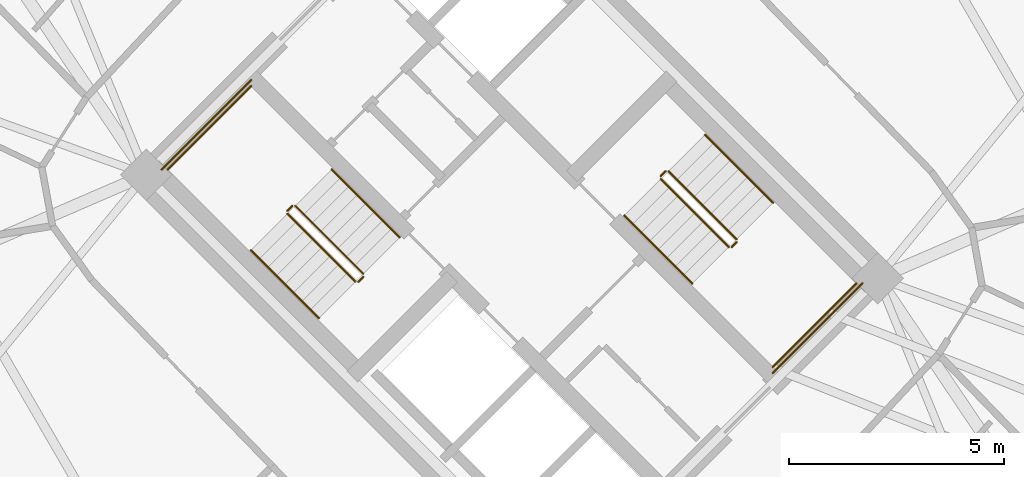
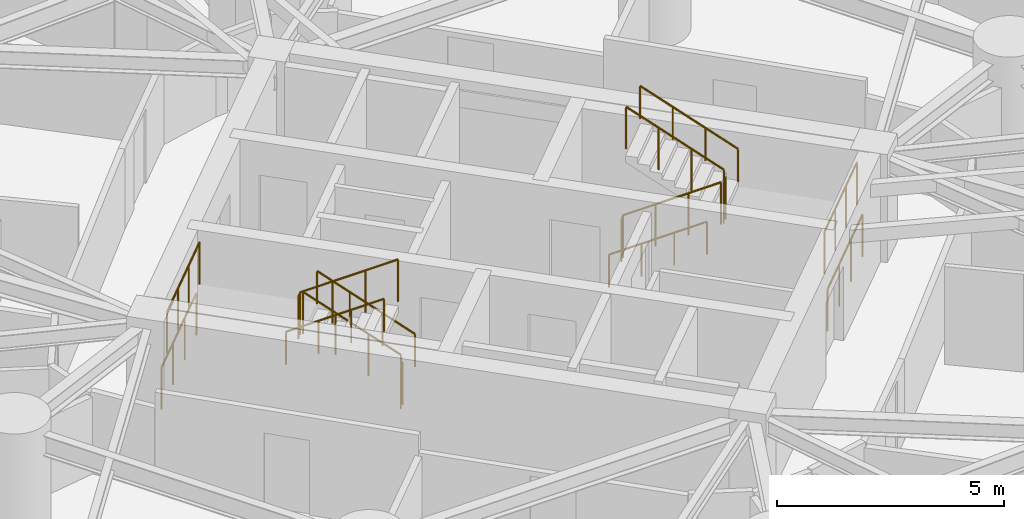
# One storey, part 18 of 19: 16 railings.
"""IFC4 building model written with IfcOpenShell, lengths in metres."""

import ifcopenshell
import ifcopenshell.guid

model = None  # the IFC model being written
_history = None  # IfcOwnerHistory: only IFC2X3 demands one
_inside = {}  # id of a spatial element -> (the spatial element, [elements in it])
_under = {}  # id of a project, library or spatial element -> (it, [spatial elements below it])
_declared = {}  # id of a project -> (the project, [libraries it declares])
_typed = {}  # id of a type object -> (the type object, [elements of that type])
_made_of = {}  # id of a material, layer set ... -> (it, [elements and type objects made of it])


def new_model(schema):
    """Start an empty IFC model of exactly this schema.

    Asked for "IFC4X3", IfcOpenShell would pick the latest addendum, in which some entities
    have other attributes; the version numbers below select the first issue.
    IFC2X3 requires an IfcOwnerHistory on every rooted entity: one is made here for all.
    """
    global model, _history
    if schema == "IFC4X3":
        model = ifcopenshell.file(schema_version=(4, 3, 0, 0))
    else:
        model = ifcopenshell.file(schema=schema)
    _inside.clear()
    _under.clear()
    _declared.clear()
    _typed.clear()
    _made_of.clear()
    _history = None
    if model.schema == "IFC2X3":
        org = make("IfcOrganization", Name="unknown")
        user = make(
            "IfcPersonAndOrganization",
            ThePerson=make("IfcPerson", FamilyName="unknown"),
            TheOrganization=org,
        )
        app = make(
            "IfcApplication",
            ApplicationDeveloper=org,
            Version="unknown",
            ApplicationFullName="unknown",
            ApplicationIdentifier="unknown",
        )
        _history = make(
            "IfcOwnerHistory",
            OwningUser=user,
            OwningApplication=app,
            ChangeAction="ADDED",
            CreationDate=0,
        )
    return model


def make(cls, **values):
    """One entity of the class cls with the attributes given. An attribute that is None is left unset."""
    return model.create_entity(
        cls, **{name: value for name, value in values.items() if value is not None}
    )


def rooted(cls, **values):
    """An entity with a GlobalId (a new one), such as an element, a storey or a relation."""
    return make(cls, GlobalId=ifcopenshell.guid.new(), OwnerHistory=_history, **values)


def si_unit(unit_type, name, prefix=None):
    """IfcSIUnit, for example si_unit("LENGTHUNIT", "METRE", prefix="MILLI")."""
    return make("IfcSIUnit", UnitType=unit_type, Prefix=prefix, Name=name)


def assignment(units):
    """IfcUnitAssignment: the units of a project."""
    return None if units is None else make("IfcUnitAssignment", Units=units)


def point(xyz):
    """IfcCartesianPoint."""
    return None if xyz is None else make("IfcCartesianPoint", Coordinates=xyz)


def direction(xyz):
    """IfcDirection."""
    return None if xyz is None else make("IfcDirection", DirectionRatios=xyz)


def frame(location, z_axis=None, x_axis=None):
    """IfcAxis2Placement3D, a coordinate frame: its origin and axes. An axis left out is left unset."""
    return make(
        "IfcAxis2Placement3D",
        Location=point(location),
        Axis=direction(z_axis),
        RefDirection=direction(x_axis),
    )


def frame_2d(location, x_axis=None):
    """IfcAxis2Placement2D, a coordinate frame in the plane: its origin and x axis."""
    return make(
        "IfcAxis2Placement2D", Location=point(location), RefDirection=direction(x_axis)
    )


def origin():
    """The frame at (0, 0, 0) with its axes left unset."""
    return frame((0.0, 0.0, 0.0))


def origin_2d():
    """The frame at (0, 0) in the plane with its x axis left unset."""
    return frame_2d((0.0, 0.0))


def place(relative_to, where):
    """IfcLocalPlacement: puts the frame where relative to a parent placement (None: the world)."""
    return make(
        "IfcLocalPlacement", PlacementRelTo=relative_to, RelativePlacement=where
    )


def context(
    kind, dimensions, precision=None, world=None, true_north=None, identifier=None
):
    """IfcGeometricRepresentationContext, for example the 3D "Model" context."""
    return make(
        "IfcGeometricRepresentationContext",
        ContextIdentifier=identifier,
        ContextType=kind,
        CoordinateSpaceDimension=dimensions,
        Precision=precision,
        WorldCoordinateSystem=world,
        TrueNorth=true_north,
    )


def subcontext(parent, identifier, kind, view, scale=None):
    """IfcGeometricRepresentationSubContext, for example "Body" below "Model"."""
    return make(
        "IfcGeometricRepresentationSubContext",
        ContextIdentifier=identifier,
        ContextType=kind,
        ParentContext=parent,
        TargetScale=scale,
        TargetView=view,
    )


def project(units=None, contexts=None):
    """IfcProject with its units and contexts."""
    return rooted(
        "IfcProject",
        Name="project",
        RepresentationContexts=contexts,
        UnitsInContext=assignment(units),
    )


def spatial(cls, under=None, at=None, **own):
    """A site, building, storey or space (cls), placed at a placement, below another one or the project."""
    s = rooted(cls, ObjectPlacement=at, **own)
    if under is not None:
        _under.setdefault(under.id(), (under, []))[1].append(s)
    return s


def profile(cls, at=None, kind="AREA", **sizes):
    """A parametric profile (cls). Its sizes go by their IFC names, for example OverallWidth=200.0."""
    return make(cls, ProfileType=kind, Position=at, **sizes)


def circle(**sizes):
    """IfcCircleProfileDef."""
    return profile("IfcCircleProfileDef", **sizes)


def extrude(swept, where, along, depth):
    """IfcExtrudedAreaSolid: the profile swept, set in the frame where, extruded along a direction by depth."""
    return make(
        "IfcExtrudedAreaSolid",
        SweptArea=swept,
        Position=where,
        ExtrudedDirection=direction(along),
        Depth=depth,
    )


def shape(context_of_items, identifier, shape_type, items):
    """IfcShapeRepresentation: the items that make up one representation, for example the "Body"."""
    return make(
        "IfcShapeRepresentation",
        ContextOfItems=context_of_items,
        RepresentationIdentifier=identifier,
        RepresentationType=shape_type,
        Items=items,
    )


def material(Name=None, Category=None):
    """IfcMaterial."""
    return make("IfcMaterial", Name=Name, Category=Category)


def made_of(thing, what):
    """Note that an element or type object is made of a material, layer set ...; save() writes the relation."""
    if what is not None:
        _made_of.setdefault(what.id(), (what, []))[1].append(thing)
    return thing


def type_object(cls, material=None, **own):
    """A type object (cls), such as IfcWallType, which elements share."""
    return made_of(rooted(cls, **own), material)


def element(
    cls,
    number,
    at=None,
    inside=None,
    cuts=None,
    type_object=None,
    material=None,
    context=None,
    identifier="Body",
    shape_type=None,
    held_by="IfcProductDefinitionShape",
    body=None,
    shapes=None,
    **own,
):
    """One element of the class cls, such as IfcWall. Its Tag is "e" and its number.

    at: its placement. inside: the storey or other place that contains it. cuts: it is an
    opening in that element (IfcRelVoidsElement). A single representation is given by context,
    identifier, shape_type and body (its items); several are given by shapes. held_by: the class
    of the entity that holds the representations. save() writes the other relations.
    """
    e = rooted(cls, Tag="e%d" % number, ObjectPlacement=at, **own)
    if body is not None:
        shapes = [shape(context, identifier, shape_type, body)]
    if shapes is not None:
        e.Representation = make(held_by, Representations=shapes)
    if inside is not None:
        _inside.setdefault(inside.id(), (inside, []))[1].append(e)
    if cuts is not None:
        rooted(
            "IfcRelVoidsElement", RelatingBuildingElement=cuts, RelatedOpeningElement=e
        )
    if type_object is not None:
        _typed.setdefault(type_object.id(), (type_object, []))[1].append(e)
    return made_of(e, material)


def aggregate(whole, parts):
    """IfcRelAggregates: a whole, such as a stair, and the parts it consists of."""
    return rooted("IfcRelAggregates", RelatingObject=whole, RelatedObjects=parts)


def save(model, path):
    """Write the relations noted so far, then the file.

    IfcRelAggregates (storeys below a building ...), IfcRelContainedInSpatialStructure (elements
    in a storey), IfcRelDefinesByType, IfcRelAssociatesMaterial and IfcRelDeclares: one each for
    every whole, place, type object, material and project.
    """
    for whole, parts in _under.values():
        aggregate(whole, parts)
    for where, things in _inside.values():
        rooted(
            "IfcRelContainedInSpatialStructure",
            RelatedElements=things,
            RelatingStructure=where,
        )
    for kind, things in _typed.values():
        rooted("IfcRelDefinesByType", RelatedObjects=things, RelatingType=kind)
    for what, things in _made_of.values():
        rooted("IfcRelAssociatesMaterial", RelatedObjects=things, RelatingMaterial=what)
    for by, libraries in _declared.values():
        rooted("IfcRelDeclares", RelatingContext=by, RelatedDefinitions=libraries)
    model.write(path)


model = new_model("IFC4")

# Units and contexts
model_context = context("Model", 3, precision=1e-05, world=origin(), true_north=direction((0.0, 1.0)))
body_context = subcontext(model_context, "Body", "Model", "MODEL_VIEW")
ifc_project = project(units=[si_unit("LENGTHUNIT", "METRE"), si_unit("AREAUNIT", "SQUARE_METRE"), si_unit("VOLUMEUNIT", "CUBIC_METRE"), si_unit("PLANEANGLEUNIT", "RADIAN"), si_unit("MASSUNIT", "GRAM", prefix="KILO")], contexts=[model_context])

# Site, building, storey
site_placement = place(None, origin())
site = spatial("IfcSite", under=ifc_project, at=site_placement, CompositionType="ELEMENT")
building_placement = place(site_placement, origin())
building = spatial("IfcBuilding", under=site, at=building_placement, Name="Cununo Teusaquillo Station Towers", CompositionType="ELEMENT")
storey_placement = place(building_placement, frame((0.0, 0.0, 30.72998046875)))
storey = spatial("IfcBuildingStorey", under=building, at=storey_placement, Name="L08", CompositionType="ELEMENT", Elevation=30.72998046875)

# Railings
ifc_material_1 = material(Name="Steel EN 10025-2 S355J2", Category="steel")
railing_type_1 = type_object("IfcRailingType", Name="RL-INT-GUARD", PredefinedType="GUARDRAIL", material=ifc_material_1)
railing_1_placement = place(storey_placement, frame((54.03515625, 23.39697265625, 0.16162109375)))
element("IfcRailing", 1, at=railing_1_placement, inside=storey, type_object=railing_type_1, Name="L08 ST-T2-1 stair guard 1", PredefinedType="GUARDRAIL", context=body_context, shape_type="SweptSolid", body=[
    extrude(circle(Radius=0.02392578125, at=origin_2d()), frame((0.0, 0.0, 1.1259765625), z_axis=(-0.612332353853, 0.612332353853, 0.500098167213), x_axis=(-0.707106781187, -0.707106781187, 0.0)), (0.0, 0.0, 1.0), 2.58642578125),
    extrude(circle(Radius=0.02099609375, at=origin_2d()), origin(), (0.0, 0.0, 1.0), 1.101806640625),
    extrude(circle(Radius=0.02099609375, at=origin_2d()), frame((-0.52783203125, 0.52783203125, 0.43115234375)), (0.0, 0.0, 1.0), 1.101806640625),
    extrude(circle(Radius=0.02099609375, at=origin_2d()), frame((-1.055908203125, 1.055908203125, 0.8623046875)), (0.0, 0.0, 1.0), 1.101806640625),
    extrude(circle(Radius=0.02099609375, at=origin_2d()), frame((-1.583740234375, 1.583740234375, 1.29345703125)), (0.0, 0.0, 1.0), 1.101806640625),
])
railing_2_placement = place(storey_placement, frame((52.380615234375, 24.980712890625, 1.455078125)))
element("IfcRailing", 2, at=railing_2_placement, inside=storey, type_object=railing_type_1, Name="L08 ST-T2-1 stair guard 2", PredefinedType="GUARDRAIL", context=body_context, shape_type="SweptSolid", body=[
    extrude(circle(Radius=0.02392578125, at=origin_2d()), frame((0.0, 0.0, 1.1259765625), z_axis=(-0.7078691598, -0.706343579714, 0.0), x_axis=(0.706343579714, -0.7078691598, 0.0)), (0.0, 0.0, 1.0), 0.159912109375),
    extrude(circle(Radius=0.02099609375, at=origin_2d()), origin(), (0.0, 0.0, 1.0), 1.101806640625),
    extrude(circle(Radius=0.02099609375, at=origin_2d()), frame((-0.11328125, -0.113037109375, 0.0)), (0.0, 0.0, 1.0), 1.101806640625),
])
railing_3_placement = place(storey_placement, frame((51.426025390625, 27.77392578125, 1.455078125)))
element("IfcRailing", 3, at=railing_3_placement, inside=storey, type_object=railing_type_1, Name="L08 ST-T2-1 stair guard 3", PredefinedType="GUARDRAIL", context=body_context, shape_type="SweptSolid", body=[
    extrude(circle(Radius=0.02392578125, at=origin_2d()), frame((0.0, 0.0, 1.1259765625), z_axis=(-0.707106781187, -0.707106781187, 0.0), x_axis=(0.707106781187, -0.707106781187, 0.0)), (0.0, 0.0, 1.0), 2.760009765625),
    extrude(circle(Radius=0.02099609375, at=origin_2d()), origin(), (0.0, 0.0, 1.0), 1.101806640625),
    extrude(circle(Radius=0.02099609375, at=origin_2d()), frame((-0.650634765625, -0.650634765625, 0.0)), (0.0, 0.0, 1.0), 1.101806640625),
    extrude(circle(Radius=0.02099609375, at=origin_2d()), frame((-1.301025390625, -1.301025390625, 0.0)), (0.0, 0.0, 1.0), 1.101806640625),
    extrude(circle(Radius=0.02099609375, at=origin_2d()), frame((-1.95166015625, -1.95166015625, 0.0)), (0.0, 0.0, 1.0), 1.101806640625),
])
railing_4_placement = place(storey_placement, frame((52.267333984375, 24.796875, 1.61669921875)))
element("IfcRailing", 4, at=railing_4_placement, inside=storey, type_object=railing_type_1, Name="L08 ST-T2-1 stair guard 4", PredefinedType="GUARDRAIL", context=body_context, shape_type="SweptSolid", body=[
    extrude(circle(Radius=0.02392578125, at=origin_2d()), frame((0.0, 0.0, 1.1259765625), z_axis=(0.612420254088, -0.612325861324, 0.499998471934), x_axis=(0.707052281454, 0.707161276719, 0.0)), (0.0, 0.0, 1.0), 2.58642578125),
    extrude(circle(Radius=0.02099609375, at=origin_2d()), origin(), (0.0, 0.0, 1.0), 1.101806640625),
    extrude(circle(Radius=0.02099609375, at=origin_2d()), frame((0.528076171875, -0.52783203125, 0.43115234375)), (0.0, 0.0, 1.0), 1.101806640625),
    extrude(circle(Radius=0.02099609375, at=origin_2d()), frame((1.055908203125, -1.055908203125, 0.862060546875)), (0.0, 0.0, 1.0), 1.101806640625),
    extrude(circle(Radius=0.02099609375, at=origin_2d()), frame((1.583984375, -1.583740234375, 1.293212890625)), (0.0, 0.0, 1.0), 1.101806640625),
])
railing_5_placement = place(storey_placement, frame((54.03515625, 23.326171875, 0.0)))
element("IfcRailing", 5, at=railing_5_placement, inside=storey, type_object=railing_type_1, Name="L08 ST-T2-1 stair guard 5", PredefinedType="GUARDRAIL", context=body_context, shape_type="SweptSolid", body=[
    extrude(circle(Radius=0.02392578125, at=origin_2d()), frame((0.0, 0.0, 1.1259765625), z_axis=(-0.707106781187, -0.707106781187, 0.0), x_axis=(0.707106781187, -0.707106781187, 0.0)), (0.0, 0.0, 1.0), 0.159912109375),
    extrude(circle(Radius=0.02099609375, at=origin_2d()), origin(), (0.0, 0.0, 1.0), 1.101806640625),
    extrude(circle(Radius=0.02099609375, at=origin_2d()), frame((-0.113037109375, -0.113037109375, 0.0)), (0.0, 0.0, 1.0), 1.101806640625),
])
railing_6_placement = place(storey_placement, frame((51.426025390625, 27.915283203125, 0.0)))
element("IfcRailing", 6, at=railing_6_placement, inside=storey, type_object=railing_type_1, Name="L08 ST-T2-1 stair guard 6", PredefinedType="GUARDRAIL", context=body_context, shape_type="SweptSolid", body=[
    extrude(circle(Radius=0.02392578125, at=origin_2d()), frame((0.0, 0.0, 1.1259765625), z_axis=(-0.707106781187, -0.707106781187, 0.0), x_axis=(0.707106781187, -0.707106781187, 0.0)), (0.0, 0.0, 1.0), 2.9599609375),
    extrude(circle(Radius=0.02099609375, at=origin_2d()), origin(), (0.0, 0.0, 1.0), 1.101806640625),
    extrude(circle(Radius=0.02099609375, at=origin_2d()), frame((-0.69775390625, -0.69775390625, 0.0)), (0.0, 0.0, 1.0), 1.101806640625),
    extrude(circle(Radius=0.02099609375, at=origin_2d()), frame((-1.395263671875, -1.395263671875, 0.0)), (0.0, 0.0, 1.0), 1.101806640625),
    extrude(circle(Radius=0.02099609375, at=origin_2d()), frame((-2.093017578125, -2.093017578125, 0.0)), (0.0, 0.0, 1.0), 1.101806640625),
])
railing_7_placement = place(storey_placement, frame((60.96484375, 25.60302734375, 0.16162109375)))
element("IfcRailing", 7, at=railing_7_placement, inside=storey, type_object=railing_type_1, Name="L08 ST-T2-2 stair guard 1", PredefinedType="GUARDRAIL", context=body_context, shape_type="SweptSolid", body=[
    extrude(circle(Radius=0.02392578125, at=origin_2d()), frame((0.0, 0.0, 1.1259765625), z_axis=(0.612332353853, -0.612332353853, 0.500098167213), x_axis=(0.707106781187, 0.707106781187, 0.0)), (0.0, 0.0, 1.0), 2.58642578125),
    extrude(circle(Radius=0.02099609375, at=origin_2d()), origin(), (0.0, 0.0, 1.0), 1.101806640625),
    extrude(circle(Radius=0.02099609375, at=origin_2d()), frame((0.52783203125, -0.52783203125, 0.43115234375)), (0.0, 0.0, 1.0), 1.101806640625),
    extrude(circle(Radius=0.02099609375, at=origin_2d()), frame((1.055908203125, -1.055908203125, 0.8623046875)), (0.0, 0.0, 1.0), 1.101806640625),
    extrude(circle(Radius=0.02099609375, at=origin_2d()), frame((1.583740234375, -1.583740234375, 1.29345703125)), (0.0, 0.0, 1.0), 1.101806640625),
])
railing_8_placement = place(storey_placement, frame((62.619384765625, 24.019287109375, 1.455078125)))
element("IfcRailing", 8, at=railing_8_placement, inside=storey, type_object=railing_type_1, Name="L08 ST-T2-2 stair guard 2", PredefinedType="GUARDRAIL", context=body_context, shape_type="SweptSolid", body=[
    extrude(circle(Radius=0.02392578125, at=origin_2d()), frame((0.0, 0.0, 1.1259765625), z_axis=(0.7078691598, 0.706343579714, 0.0), x_axis=(-0.706343579714, 0.7078691598, 0.0)), (0.0, 0.0, 1.0), 0.159912109375),
    extrude(circle(Radius=0.02099609375, at=origin_2d()), origin(), (0.0, 0.0, 1.0), 1.101806640625),
    extrude(circle(Radius=0.02099609375, at=origin_2d()), frame((0.11328125, 0.113037109375, 0.0)), (0.0, 0.0, 1.0), 1.101806640625),
])
railing_9_placement = place(storey_placement, frame((63.573974609375, 21.22607421875, 1.455078125)))
element("IfcRailing", 9, at=railing_9_placement, inside=storey, type_object=railing_type_1, Name="L08 ST-T2-2 stair guard 3", PredefinedType="GUARDRAIL", context=body_context, shape_type="SweptSolid", body=[
    extrude(circle(Radius=0.02392578125, at=origin_2d()), frame((0.0, 0.0, 1.1259765625), z_axis=(0.707106781187, 0.707106781187, 0.0), x_axis=(-0.707106781187, 0.707106781187, 0.0)), (0.0, 0.0, 1.0), 2.760009765625),
    extrude(circle(Radius=0.02099609375, at=origin_2d()), origin(), (0.0, 0.0, 1.0), 1.101806640625),
    extrude(circle(Radius=0.02099609375, at=origin_2d()), frame((0.650634765625, 0.650634765625, 0.0)), (0.0, 0.0, 1.0), 1.101806640625),
    extrude(circle(Radius=0.02099609375, at=origin_2d()), frame((1.301025390625, 1.301025390625, 0.0)), (0.0, 0.0, 1.0), 1.101806640625),
    extrude(circle(Radius=0.02099609375, at=origin_2d()), frame((1.95166015625, 1.95166015625, 0.0)), (0.0, 0.0, 1.0), 1.101806640625),
])
railing_10_placement = place(storey_placement, frame((62.732666015625, 24.203125, 1.61669921875)))
element("IfcRailing", 10, at=railing_10_placement, inside=storey, type_object=railing_type_1, Name="L08 ST-T2-2 stair guard 4", PredefinedType="GUARDRAIL", context=body_context, shape_type="SweptSolid", body=[
    extrude(circle(Radius=0.02392578125, at=origin_2d()), frame((0.0, 0.0, 1.1259765625), z_axis=(-0.612420254088, 0.612325861324, 0.499998471934), x_axis=(-0.707052281454, -0.707161276719, 0.0)), (0.0, 0.0, 1.0), 2.58642578125),
    extrude(circle(Radius=0.02099609375, at=origin_2d()), origin(), (0.0, 0.0, 1.0), 1.101806640625),
    extrude(circle(Radius=0.02099609375, at=origin_2d()), frame((-0.528076171875, 0.52783203125, 0.43115234375)), (0.0, 0.0, 1.0), 1.101806640625),
    extrude(circle(Radius=0.02099609375, at=origin_2d()), frame((-1.055908203125, 1.055908203125, 0.862060546875)), (0.0, 0.0, 1.0), 1.101806640625),
    extrude(circle(Radius=0.02099609375, at=origin_2d()), frame((-1.583984375, 1.583740234375, 1.293212890625)), (0.0, 0.0, 1.0), 1.101806640625),
])
railing_11_placement = place(storey_placement, frame((60.96484375, 25.673828125, 0.0)))
element("IfcRailing", 11, at=railing_11_placement, inside=storey, type_object=railing_type_1, Name="L08 ST-T2-2 stair guard 5", PredefinedType="GUARDRAIL", context=body_context, shape_type="SweptSolid", body=[
    extrude(circle(Radius=0.02392578125, at=origin_2d()), frame((0.0, 0.0, 1.1259765625), z_axis=(0.707106781187, 0.707106781187, 0.0), x_axis=(-0.707106781187, 0.707106781187, 0.0)), (0.0, 0.0, 1.0), 0.159912109375),
    extrude(circle(Radius=0.02099609375, at=origin_2d()), origin(), (0.0, 0.0, 1.0), 1.101806640625),
    extrude(circle(Radius=0.02099609375, at=origin_2d()), frame((0.113037109375, 0.113037109375, 0.0)), (0.0, 0.0, 1.0), 1.101806640625),
])
railing_12_placement = place(storey_placement, frame((63.573974609375, 21.084716796875, 0.0)))
element("IfcRailing", 12, at=railing_12_placement, inside=storey, type_object=railing_type_1, Name="L08 ST-T2-2 stair guard 6", PredefinedType="GUARDRAIL", context=body_context, shape_type="SweptSolid", body=[
    extrude(circle(Radius=0.02392578125, at=origin_2d()), frame((0.0, 0.0, 1.1259765625), z_axis=(0.707106781187, 0.707106781187, 0.0), x_axis=(-0.707106781187, 0.707106781187, 0.0)), (0.0, 0.0, 1.0), 2.9599609375),
    extrude(circle(Radius=0.02099609375, at=origin_2d()), origin(), (0.0, 0.0, 1.0), 1.101806640625),
    extrude(circle(Radius=0.02099609375, at=origin_2d()), frame((0.69775390625, 0.69775390625, 0.0)), (0.0, 0.0, 1.0), 1.101806640625),
    extrude(circle(Radius=0.02099609375, at=origin_2d()), frame((1.395263671875, 1.395263671875, 0.0)), (0.0, 0.0, 1.0), 1.101806640625),
    extrude(circle(Radius=0.02099609375, at=origin_2d()), frame((2.093017578125, 2.093017578125, 0.0)), (0.0, 0.0, 1.0), 1.101806640625),
])
ifc_material_2 = material(Name="Steel EN 10025-2 S355J2", Category="steel")
railing_type_2 = type_object("IfcRailingType", Name="RL-INT-HRAIL", PredefinedType="HANDRAIL", material=ifc_material_2)
railing_13_placement = place(storey_placement, frame((54.8837890625, 24.245361328125, 0.16162109375)))
element("IfcRailing", 13, at=railing_13_placement, inside=storey, type_object=railing_type_2, Name="L08 ST-T2-1 stair handrail 1", PredefinedType="HANDRAIL", context=body_context, shape_type="SweptSolid", body=[
    extrude(circle(Radius=0.02392578125, at=origin_2d()), frame((0.0, 0.0, 0.8759765625), z_axis=(-0.612355957468, 0.612355957468, 0.500040361077), x_axis=(-0.707106781187, -0.707106781187, 0.0)), (0.0, 0.0, 1.0), 2.586669921875),
    extrude(circle(Radius=0.02099609375, at=origin_2d()), origin(), (0.0, 0.0, 1.0), 0.851806640625),
    extrude(circle(Radius=0.02099609375, at=origin_2d()), frame((-0.528076171875, 0.528076171875, 0.43115234375)), (0.0, 0.0, 1.0), 0.851806640625),
    extrude(circle(Radius=0.02099609375, at=origin_2d()), frame((-1.055908203125, 1.055908203125, 0.8623046875)), (0.0, 0.0, 1.0), 0.851806640625),
    extrude(circle(Radius=0.02099609375, at=origin_2d()), frame((-1.583984375, 1.583984375, 1.29345703125)), (0.0, 0.0, 1.0), 0.851806640625),
])
railing_14_placement = place(storey_placement, frame((51.4189453125, 23.948486328125, 1.61669921875)))
element("IfcRailing", 14, at=railing_14_placement, inside=storey, type_object=railing_type_2, Name="L08 ST-T2-1 stair handrail 2", PredefinedType="HANDRAIL", context=body_context, shape_type="SweptSolid", body=[
    extrude(circle(Radius=0.02392578125, at=origin_2d()), frame((0.0, 0.0, 0.8759765625), z_axis=(0.612384857071, -0.612384857071, 0.499969572735), x_axis=(0.707106781187, 0.707106781187, 0.0)), (0.0, 0.0, 1.0), 2.586669921875),
    extrude(circle(Radius=0.02099609375, at=origin_2d()), origin(), (0.0, 0.0, 1.0), 0.851806640625),
    extrude(circle(Radius=0.02099609375, at=origin_2d()), frame((0.528076171875, -0.528076171875, 0.43115234375)), (0.0, 0.0, 1.0), 0.851806640625),
    extrude(circle(Radius=0.02099609375, at=origin_2d()), frame((1.055908203125, -1.055908203125, 0.862060546875)), (0.0, 0.0, 1.0), 0.851806640625),
    extrude(circle(Radius=0.02099609375, at=origin_2d()), frame((1.583984375, -1.583984375, 1.293212890625)), (0.0, 0.0, 1.0), 0.851806640625),
])
railing_15_placement = place(storey_placement, frame((60.1162109375, 24.754638671875, 0.16162109375)))
element("IfcRailing", 15, at=railing_15_placement, inside=storey, type_object=railing_type_2, Name="L08 ST-T2-2 stair handrail 1", PredefinedType="HANDRAIL", context=body_context, shape_type="SweptSolid", body=[
    extrude(circle(Radius=0.02392578125, at=origin_2d()), frame((0.0, 0.0, 0.8759765625), z_axis=(0.612355957468, -0.612355957468, 0.500040361077), x_axis=(0.707106781187, 0.707106781187, 0.0)), (0.0, 0.0, 1.0), 2.586669921875),
    extrude(circle(Radius=0.02099609375, at=origin_2d()), origin(), (0.0, 0.0, 1.0), 0.851806640625),
    extrude(circle(Radius=0.02099609375, at=origin_2d()), frame((0.528076171875, -0.528076171875, 0.43115234375)), (0.0, 0.0, 1.0), 0.851806640625),
    extrude(circle(Radius=0.02099609375, at=origin_2d()), frame((1.055908203125, -1.055908203125, 0.8623046875)), (0.0, 0.0, 1.0), 0.851806640625),
    extrude(circle(Radius=0.02099609375, at=origin_2d()), frame((1.583984375, -1.583984375, 1.29345703125)), (0.0, 0.0, 1.0), 0.851806640625),
])
railing_16_placement = place(storey_placement, frame((63.5810546875, 25.051513671875, 1.61669921875)))
element("IfcRailing", 16, at=railing_16_placement, inside=storey, type_object=railing_type_2, Name="L08 ST-T2-2 stair handrail 2", PredefinedType="HANDRAIL", context=body_context, shape_type="SweptSolid", body=[
    extrude(circle(Radius=0.02392578125, at=origin_2d()), frame((0.0, 0.0, 0.8759765625), z_axis=(-0.612384857071, 0.612384857071, 0.499969572735), x_axis=(-0.707106781187, -0.707106781187, 0.0)), (0.0, 0.0, 1.0), 2.586669921875),
    extrude(circle(Radius=0.02099609375, at=origin_2d()), origin(), (0.0, 0.0, 1.0), 0.851806640625),
    extrude(circle(Radius=0.02099609375, at=origin_2d()), frame((-0.528076171875, 0.528076171875, 0.43115234375)), (0.0, 0.0, 1.0), 0.851806640625),
    extrude(circle(Radius=0.02099609375, at=origin_2d()), frame((-1.055908203125, 1.055908203125, 0.862060546875)), (0.0, 0.0, 1.0), 0.851806640625),
    extrude(circle(Radius=0.02099609375, at=origin_2d()), frame((-1.583984375, 1.583984375, 1.293212890625)), (0.0, 0.0, 1.0), 0.851806640625),
])

save(model, "model.ifc")
